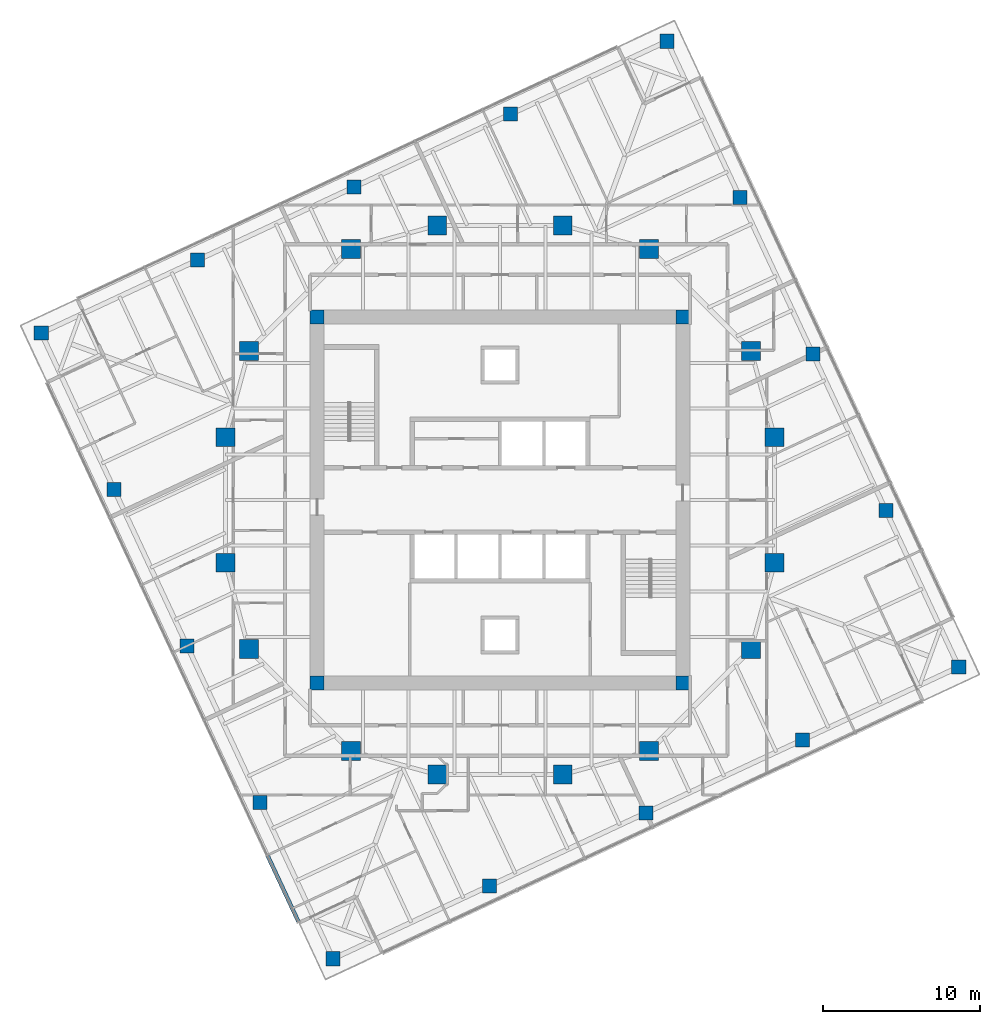
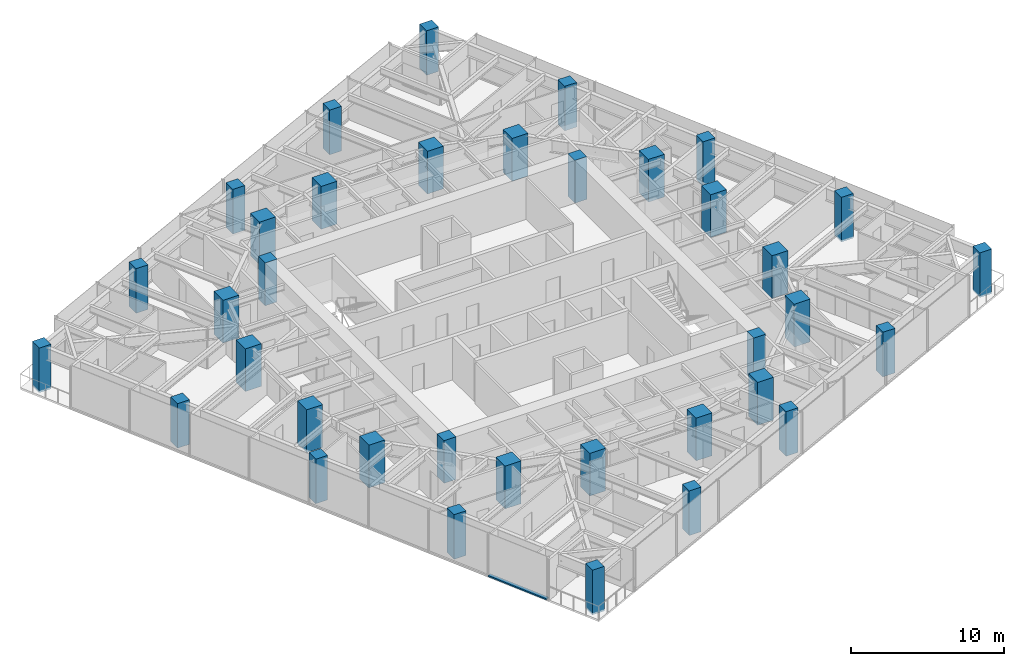
# One storey, part 1 of 13: 36 columns, 1 member, 1 element without a shape of its own.
"""IFC4 building model written with IfcOpenShell, lengths in metres."""

from ifc_helpers import new_model, si_unit, direction, frame, origin, origin_2d, place, context, subcontext, project, spatial, rectangle, extrude, material, material_profile, profile_set, type_object, element, aggregate, save


model = new_model("IFC4")

# Units and contexts
model_context = context("Model", 3, precision=1e-05, world=origin(), true_north=direction((0.0, 1.0)))
body_context = subcontext(model_context, "Body", "Model", "MODEL_VIEW")
ifc_project = project(units=[si_unit("LENGTHUNIT", "METRE"), si_unit("AREAUNIT", "SQUARE_METRE"), si_unit("VOLUMEUNIT", "CUBIC_METRE"), si_unit("PLANEANGLEUNIT", "RADIAN"), si_unit("MASSUNIT", "GRAM", prefix="KILO")], contexts=[model_context])

# Site, building, storey
site_placement = place(None, origin())
site = spatial("IfcSite", under=ifc_project, at=site_placement, CompositionType="ELEMENT")
building_placement = place(site_placement, origin())
building = spatial("IfcBuilding", under=site, at=building_placement, Name="Torsade Residences", CompositionType="ELEMENT")
storey_placement = place(building_placement, frame((0.0, 0.0, 176.0)))
storey = spatial("IfcBuildingStorey", under=building, at=storey_placement, Name="L48", CompositionType="ELEMENT", Elevation=176.0)

# Columns
ifc_material_1 = material(Name="Concrete 80 MPa", Category="concrete")
ifc_material_profile_1 = material_profile(ifc_material_1, rectangle(XDim=0.89990234375, YDim=0.89990234375, at=origin_2d()), Name="RC 900x900")
ifc_profile_set_1 = profile_set([ifc_material_profile_1], Name="Concrete 80 MPa")
column_type_1 = type_object("IfcColumnType", Name="CORE CORNER COLUMN RC 900x900", PredefinedType="COLUMN", material=ifc_profile_set_1)
for number, where, z_axis, x_axis, name in (
    (1, (28.35009765625, 18.35009765625, 0.0), (0.0, 0.0, 1.0), (1.0, 0.0, 0.0), "Core corner column CC1 L48"),
    (2, (51.64990234375, 18.35009765625, 0.0), (0.0, 0.0, 1.0), (1.0, 0.0, 0.0), "Core corner column CC2 L48"),
    (3, (51.64990234375, 41.64990234375, 0.0), (0.0, 0.0, 1.0), (1.0, 0.0, 0.0), "Core corner column CC3 L48"),
    (4, (28.35009765625, 41.64990234375, 0.0), (0.0, 0.0, 1.0), (1.0, 0.0, 0.0), "Core corner column CC4 L48"),
):
    element("IfcColumn", number, at=place(storey_placement, frame(where, z_axis=z_axis, x_axis=x_axis)), inside=storey, type_object=column_type_1, Name=name, PredefinedType="COLUMN", context=body_context, shape_type="SweptSolid", body=[
        extrude(rectangle(XDim=0.89990234375, YDim=0.89990234375, at=origin_2d()), origin(), (0.0, 0.0, 1.0), 3.39990234375),
    ])
ifc_material_2 = material(Name="Concrete 80 MPa", Category="concrete")
ifc_material_profile_2 = material_profile(ifc_material_2, rectangle(XDim=1.199951171875, YDim=1.199951171875, at=origin_2d()), Name="RC 1200x1200")
ifc_profile_set_2 = profile_set([ifc_material_profile_2], Name="Concrete 80 MPa")
column_type_2 = type_object("IfcColumnType", Name="INNER RING COLUMN RC 1200x1200", PredefinedType="COLUMN", material=ifc_profile_set_2)
for number, where, z_axis, x_axis, name in (
    (5, (57.5, 26.0, 0.0), (0.0, 0.0, 1.0), (1.0, 0.0, 0.0), "Inner ring column IR01 L48"),
    (6, (57.5, 34.0, 0.0), (0.0, 0.0, 1.0), (1.0, 0.0, 0.0), "Inner ring column IR02 L48"),
    (7, (56.0, 39.5, 0.0), (0.0, 0.0, 1.0), (1.0, 0.0, 0.0), "Inner ring column IR03 L48"),
    (8, (49.5, 46.0, 0.0), (0.0, 0.0, 1.0), (1.0, 0.0, 0.0), "Inner ring column IR04 L48"),
    (9, (44.0, 47.5, 0.0), (0.0, 0.0, 1.0), (1.0, 0.0, 0.0), "Inner ring column IR05 L48"),
    (10, (36.0, 47.5, 0.0), (0.0, 0.0, 1.0), (1.0, 0.0, 0.0), "Inner ring column IR06 L48"),
    (11, (30.5, 46.0, 0.0), (0.0, 0.0, 1.0), (1.0, 0.0, 0.0), "Inner ring column IR07 L48"),
    (12, (24.0, 39.5, 0.0), (0.0, 0.0, 1.0), (1.0, 0.0, 0.0), "Inner ring column IR08 L48"),
    (13, (22.5, 34.0, 0.0), (0.0, 0.0, 1.0), (1.0, 0.0, 0.0), "Inner ring column IR09 L48"),
    (14, (22.5, 26.0, 0.0), (0.0, 0.0, 1.0), (1.0, 0.0, 0.0), "Inner ring column IR10 L48"),
    (15, (24.0, 20.5, 0.0), (0.0, 0.0, 1.0), (1.0, 0.0, 0.0), "Inner ring column IR11 L48"),
    (16, (30.5, 14.0, 0.0), (0.0, 0.0, 1.0), (1.0, 0.0, 0.0), "Inner ring column IR12 L48"),
    (17, (36.0, 12.5, 0.0), (0.0, 0.0, 1.0), (1.0, 0.0, 0.0), "Inner ring column IR13 L48"),
    (18, (44.0, 12.5, 0.0), (0.0, 0.0, 1.0), (1.0, 0.0, 0.0), "Inner ring column IR14 L48"),
    (19, (49.5, 14.0, 0.0), (0.0, 0.0, 1.0), (1.0, 0.0, 0.0), "Inner ring column IR15 L48"),
    (20, (56.0, 20.5, 0.0), (0.0, 0.0, 1.0), (1.0, 0.0, 0.0), "Inner ring column IR16 L48"),
):
    element("IfcColumn", number, at=place(storey_placement, frame(where, z_axis=z_axis, x_axis=x_axis)), inside=storey, type_object=column_type_2, Name=name, PredefinedType="COLUMN", context=body_context, shape_type="SweptSolid", body=[
        extrude(rectangle(XDim=1.199951171875, YDim=1.199951171875, at=origin_2d()), origin(), (0.0, 0.0, 1.0), 3.39990234375),
    ])
ifc_material_3 = material(Name="Concrete 80 MPa", Category="concrete")
ifc_material_profile_3 = material_profile(ifc_material_3, rectangle(XDim=0.89990234375, YDim=0.89990234375, at=origin_2d()), Name="RC 900x900")
ifc_profile_set_3 = profile_set([ifc_material_profile_3], Name="Concrete 80 MPa")
column_type_3 = type_object("IfcColumnType", Name="TOWER COLUMN RC 900x900", PredefinedType="COLUMN", material=ifc_profile_set_3)
for number, where, z_axis, x_axis, name in (
    (21, (29.35888671875, 0.763671875, -0.14990234375), (0.0, 0.0, 1.0), (1.0, 0.0, 0.0), "Column TC6-01 L48"),
    (22, (39.328125, 5.412353515625, -0.14990234375), (0.0, 0.0, 1.0), (1.0, 0.0, 0.0), "Column TC6-02 L48"),
    (23, (49.297607421875, 10.061279296875, -0.14990234375), (0.0, 0.0, 1.0), (1.0, 0.0, 0.0), "Column TC6-03 L48"),
    (24, (59.26708984375, 14.7099609375, -0.14990234375), (0.0, 0.0, 1.0), (1.0, 0.0, 0.0), "Column TC6-04 L48"),
    (25, (69.236328125, 19.35888671875, -0.14990234375), (0.0, 0.0, 1.0), (1.0, 0.0, 0.0), "Column TC6-05 L48"),
    (26, (64.587646484375, 29.328125, -0.14990234375), (0.0, 0.0, 1.0), (1.0, 0.0, 0.0), "Column TC6-06 L48"),
    (27, (59.938720703125, 39.297607421875, -0.14990234375), (0.0, 0.0, 1.0), (1.0, 0.0, 0.0), "Column TC6-07 L48"),
    (28, (55.2900390625, 49.26708984375, -0.14990234375), (0.0, 0.0, 1.0), (1.0, 0.0, 0.0), "Column TC6-08 L48"),
    (29, (50.64111328125, 59.236328125, -0.14990234375), (0.0, 0.0, 1.0), (1.0, 0.0, 0.0), "Column TC6-09 L48"),
    (30, (40.671875, 54.587646484375, -0.14990234375), (0.0, 0.0, 1.0), (1.0, 0.0, 0.0), "Column TC6-10 L48"),
    (31, (30.702392578125, 49.938720703125, -0.14990234375), (0.0, 0.0, 1.0), (1.0, 0.0, 0.0), "Column TC6-11 L48"),
    (32, (20.73291015625, 45.2900390625, -0.14990234375), (0.0, 0.0, 1.0), (1.0, 0.0, 0.0), "Column TC6-12 L48"),
    (33, (10.763671875, 40.64111328125, -0.14990234375), (0.0, 0.0, 1.0), (1.0, 0.0, 0.0), "Column TC6-13 L48"),
    (34, (15.412353515625, 30.671875, -0.14990234375), (0.0, 0.0, 1.0), (1.0, 0.0, 0.0), "Column TC6-14 L48"),
    (35, (20.061279296875, 20.702392578125, -0.14990234375), (0.0, 0.0, 1.0), (1.0, 0.0, 0.0), "Column TC6-15 L48"),
    (36, (24.7099609375, 10.73291015625, -0.14990234375), (0.0, 0.0, 1.0), (1.0, 0.0, 0.0), "Column TC6-16 L48"),
):
    element("IfcColumn", number, at=place(storey_placement, frame(where, z_axis=z_axis, x_axis=x_axis)), inside=storey, type_object=column_type_3, Name=name, PredefinedType="COLUMN", context=body_context, shape_type="SweptSolid", body=[
        extrude(rectangle(XDim=0.89990234375, YDim=0.89990234375, at=origin_2d()), origin(), (0.0, 0.0, 1.0), 3.5498046875),
    ])

# Curtain wall, member
ifc_material_4 = material(Name="Aluminium and glass", Category="aluminium")
curtain_wall_type = type_object("IfcCurtainWallType", Name="FRITTED GLASS CURTAIN WALL MID ZONE", PredefinedType="NOTDEFINED", material=ifc_material_4)
curtain_wall_placement = place(storey_placement, origin())
curtain_wall = element("IfcCurtainWall", 37, at=curtain_wall_placement, inside=storey, type_object=curtain_wall_type, Name="Curtain wall L48 face 10", PredefinedType="NOTDEFINED")
ifc_material_5 = material(Name="Aluminium transom", Category="aluminium")
ifc_material_profile_4 = material_profile(ifc_material_5, rectangle(XDim=0.25, YDim=0.110107421875, at=origin_2d()), Name="MID ZONE CURTAIN WALL TRANSOM 250x110")
ifc_profile_set_4 = profile_set([ifc_material_profile_4], Name="Aluminium transom")
member_type = type_object("IfcMemberType", Name="MID ZONE CURTAIN WALL TRANSOM 250x110", PredefinedType="USERDEFINED", material=ifc_profile_set_4)
member_placement = place(storey_placement, frame((25.194091796875, 7.32861328125, 0.054931640625), z_axis=(0.422622764878, -0.906305687176, 0.0), x_axis=(0.906305687176, 0.422622764878, 0.0)))
member = element("IfcMember", 38, at=member_placement, type_object=member_type, Name="Transom 8.1", ObjectType="TRANSOM", PredefinedType="USERDEFINED", context=body_context, shape_type="SweptSolid", body=[
    extrude(rectangle(XDim=0.25, YDim=0.110107421875, at=origin_2d()), origin(), (0.0, 0.0, 1.0), 4.630126953125),
])
aggregate(curtain_wall, [member])

save(model, "model.ifc")
